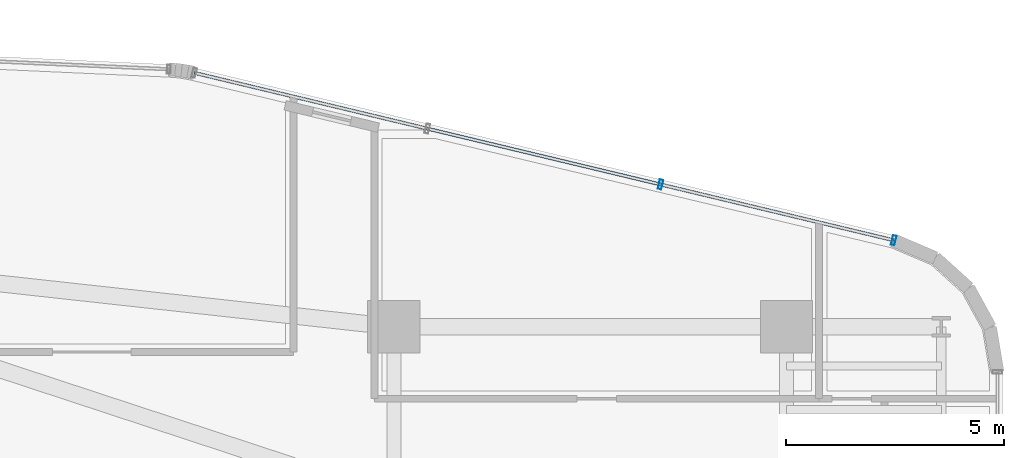
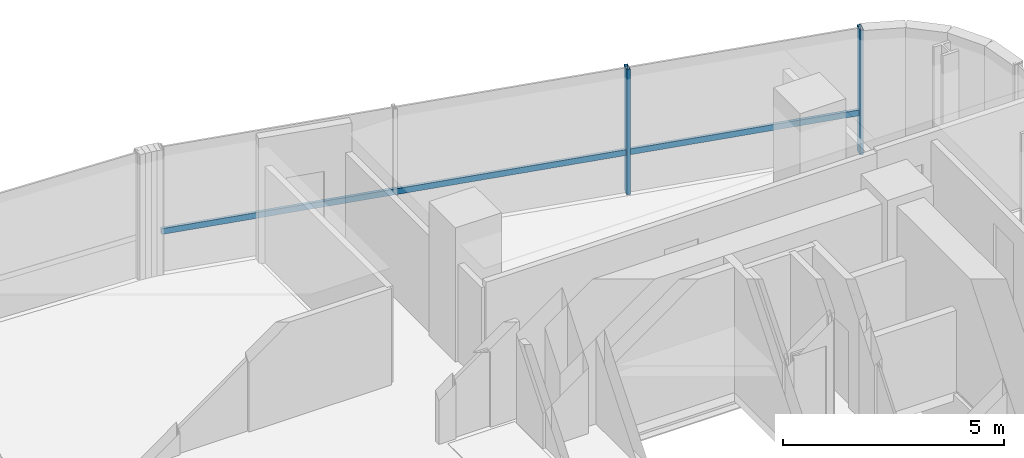
# One storey, part 23 of 35: 3 members, 1 element without a shape of its own.
"""IFC4 building model written with IfcOpenShell, lengths in metres."""

from ifc_helpers import new_model, si_unit, direction, frame, origin, origin_2d, place, context, subcontext, project, spatial, hollow_rectangle, extrude, source, transform, mapped, material, material_profile, profile_set, type_object, element, aggregate, save


model = new_model("IFC4")

# Units and contexts
model_context = context("Model", 3, precision=1e-05, world=origin(), true_north=direction((0.0, 1.0)))
body_context = subcontext(model_context, "Body", "Model", "MODEL_VIEW")
ifc_project = project(units=[si_unit("LENGTHUNIT", "METRE"), si_unit("AREAUNIT", "SQUARE_METRE"), si_unit("VOLUMEUNIT", "CUBIC_METRE"), si_unit("PLANEANGLEUNIT", "RADIAN"), si_unit("MASSUNIT", "GRAM", prefix="KILO")], contexts=[model_context])

# Site, building, storey
site_placement = place(None, origin())
site = spatial("IfcSite", under=ifc_project, at=site_placement, CompositionType="ELEMENT")
building_placement = place(site_placement, origin())
building = spatial("IfcBuilding", under=site, at=building_placement, Name="Valdorenza Pilgrim Sanctuary Tower", CompositionType="ELEMENT")
storey_placement = place(building_placement, frame((0.0, 0.0, 139.0)))
storey = spatial("IfcBuildingStorey", under=building, at=storey_placement, Name="L35", CompositionType="ELEMENT", Elevation=139.0)

# Curtain wall, members
ifc_material_1 = material(Name="Curtain-wall IGU glazing", Category="glass")
curtain_wall_type = type_object("IfcCurtainWallType", Name="CW-SYS-03", PredefinedType="NOTDEFINED", material=ifc_material_1)
curtain_wall_placement = place(storey_placement, origin())
curtain_wall = element("IfcCurtainWall", 1, at=curtain_wall_placement, inside=storey, type_object=curtain_wall_type, Name="L35 Curtain Wall CW-L35-1-16", PredefinedType="NOTDEFINED")
ifc_material_2 = material(Name="Anodised aluminium AW-6060", Category="aluminium")
ifc_material_profile_1 = material_profile(ifc_material_2, hollow_rectangle(XDim=0.0849609375, YDim=0.219970703125, WallThickness=0.0048828125, at=origin_2d()), Name="ALU-M 220x85x5")
ifc_profile_set_1 = profile_set([ifc_material_profile_1], Name="Anodised aluminium AW-6060")
member_type_1 = type_object("IfcMemberType", Name="CW-MUL-03", PredefinedType="MULLION", material=ifc_profile_set_1)
shared_shape_1 = source(origin(), body_context, "Body", "SweptSolid", [
    extrude(hollow_rectangle(XDim=0.0849609375, YDim=0.219970703125, WallThickness=0.0048828125, at=origin_2d()), origin(), (0.0, 0.0, 1.0), 3.4599609375),
])
member_1_placement = place(storey_placement, frame((21.964111328125, 16.7626953125, 0.0), z_axis=(0.0, 0.0, 1.0), x_axis=(0.972528596343, -0.232783438617, 0.0)))
member_1 = element("IfcMember", 2, at=member_1_placement, type_object=member_type_1, Name="CW-L35-1-16 Mullion 3", PredefinedType="MULLION", context=body_context, shape_type="MappedRepresentation", body=[
    mapped(shared_shape_1, transform((0.0, 0.0, 0.0), x_axis=(1.0, 0.0, 0.0), y_axis=(0.0, 1.0, 0.0), z_axis=(0.0, 0.0, 1.0), scale=1.0)),
])
member_2_placement = place(storey_placement, frame((27.310302734375, 15.48291015625, 0.0), z_axis=(0.0, 0.0, 1.0), x_axis=(0.972528596343, -0.232783438617, 0.0)))
member_2 = element("IfcMember", 3, at=member_2_placement, type_object=member_type_1, Name="CW-L35-1-16 Mullion 4", PredefinedType="MULLION", context=body_context, shape_type="MappedRepresentation", body=[
    mapped(shared_shape_1, transform((0.0, 0.0, 0.0), x_axis=(1.0, 0.0, 0.0), y_axis=(0.0, 1.0, 0.0), z_axis=(0.0, 0.0, 1.0), scale=1.0)),
])
ifc_material_profile_2 = material_profile(ifc_material_2, hollow_rectangle(XDim=0.074951171875, YDim=0.159912109375, WallThickness=0.00390625, at=origin_2d()), Name="ALU-T 160x75x4")
ifc_profile_set_2 = profile_set([ifc_material_profile_2], Name="Anodised aluminium AW-6060")
member_type_2 = type_object("IfcMemberType", Name="CW-TRN-03", PredefinedType="USERDEFINED", material=ifc_profile_set_2)
shared_shape_2 = source(origin(), body_context, "Body", "SweptSolid", [
    extrude(hollow_rectangle(XDim=0.074951171875, YDim=0.159912109375, WallThickness=0.00390625, at=origin_2d()), origin(), (0.0, 0.0, 1.0), 16.491943359375),
])
member_3_placement = place(storey_placement, frame((11.271484375, 19.322021484375, 1.1201171875), z_axis=(0.972527548122, -0.232787817859, 0.0), x_axis=(0.232787817859, 0.972527548122, 0.0)))
member_3 = element("IfcMember", 4, at=member_3_placement, type_object=member_type_2, Name="CW-L35-1-16 Transom 1", ObjectType="TRANSOM", PredefinedType="USERDEFINED", context=body_context, shape_type="MappedRepresentation", body=[
    mapped(shared_shape_2, transform((0.0, 0.0, 0.0), x_axis=(1.0, 0.0, 0.0), y_axis=(0.0, 1.0, 0.0), z_axis=(0.0, 0.0, 1.0), scale=1.0)),
])
aggregate(curtain_wall, [member_1, member_2, member_3])

save(model, "model.ifc")
